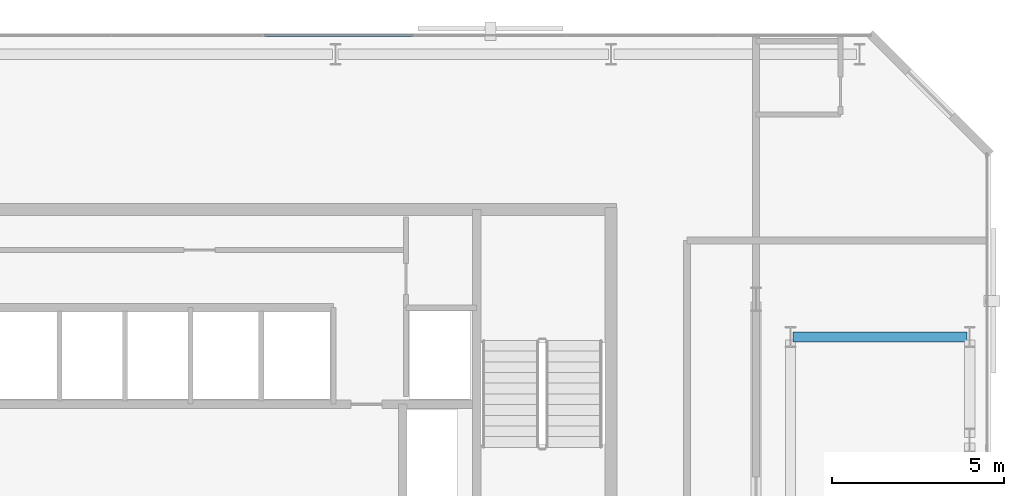
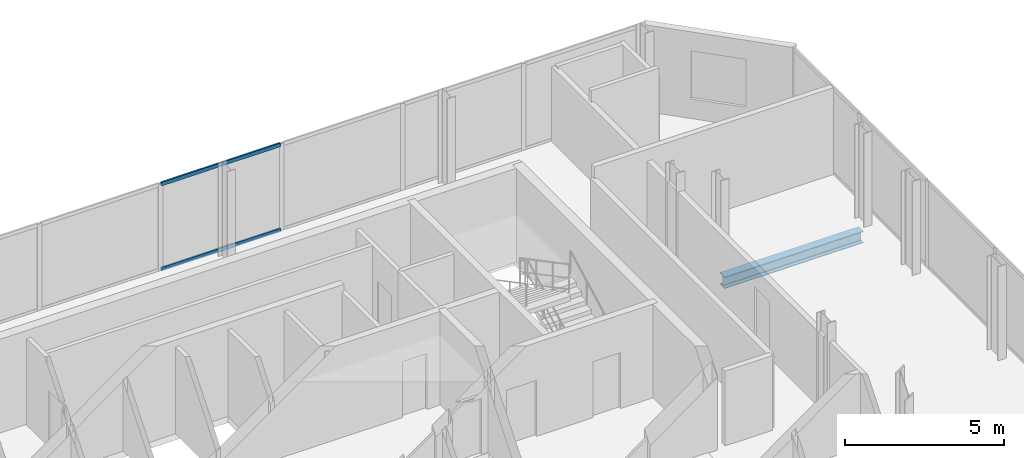
# One storey, part 23 of 32: 2 members, 1 beam, 1 element without a shape of its own.
"""IFC4 building model written with IfcOpenShell, lengths in metres."""

from ifc_helpers import new_model, si_unit, direction, frame, origin, origin_2d, place, context, subcontext, project, spatial, hollow_rectangle, i_section, extrude, material, layer, layer_set, material_profile, profile_set, type_object, element, aggregate, save


model = new_model("IFC4")

# Units and contexts
model_context = context("Model", 3, precision=1e-05, world=origin(), true_north=direction((0.0, 1.0)))
body_context = subcontext(model_context, "Body", "Model", "MODEL_VIEW")
ifc_project = project(units=[si_unit("LENGTHUNIT", "METRE"), si_unit("AREAUNIT", "SQUARE_METRE"), si_unit("VOLUMEUNIT", "CUBIC_METRE"), si_unit("PLANEANGLEUNIT", "RADIAN"), si_unit("MASSUNIT", "GRAM", prefix="KILO")], contexts=[model_context])

# Site, building, storey
site_placement = place(None, origin())
site = spatial("IfcSite", under=ifc_project, at=site_placement, CompositionType="ELEMENT")
building_placement = place(site_placement, origin())
building = spatial("IfcBuilding", under=site, at=building_placement, Name="Catumbela Crestline Tower", CompositionType="ELEMENT")
storey_placement = place(building_placement, frame((0.0, 0.0, 122.4)))
storey = spatial("IfcBuildingStorey", under=building, at=storey_placement, Name="L31", CompositionType="ELEMENT", Elevation=122.4)

# Beam
ifc_material_1 = material(Name="Structural steel S355J2", Category="steel")
ifc_material_profile_1 = material_profile(ifc_material_1, i_section(OverallWidth=0.3, OverallDepth=0.45, WebThickness=0.014, FlangeThickness=0.026, FilletRadius=0.027, at=origin_2d()), Name="HEB 450")
ifc_profile_set_1 = profile_set([ifc_material_profile_1], Name="Structural steel S355J2")
beam_type = type_object("IfcBeamType", Name="BG-HEB450", PredefinedType="BEAM", material=ifc_profile_set_1)
beam_placement = place(storey_placement, frame((45.28, 39.2, -0.485), z_axis=(1.0, 0.0, 0.0), x_axis=(0.0, 1.0, 0.0)))
element("IfcBeam", 1, at=beam_placement, inside=storey, type_object=beam_type, Name="L31 Beam BM-L31-N16", PredefinedType="BEAM", context=body_context, shape_type="SweptSolid", body=[
    extrude(i_section(OverallWidth=0.3, OverallDepth=0.45, WebThickness=0.014, FlangeThickness=0.026, FilletRadius=0.027, at=origin_2d()), origin(), (0.0, 0.0, 1.0), 5.04),
])

# Curtain wall, members
ifc_material_2 = material(Name="Aluminium alloy AW-6060-T66", Category="aluminium")
ifc_layer = layer(ifc_material_2, 0.18, Name="Aluminium alloy AW-6060-T66")
ifc_layer_set = layer_set([ifc_layer], Name="Aluminium alloy AW-6060-T66")
curtain_wall_type = type_object("IfcCurtainWallType", Name="CWU-Z2", PredefinedType="USERDEFINED", material=ifc_layer_set)
curtain_wall_placement = place(storey_placement, origin())
curtain_wall = element("IfcCurtainWall", 2, at=curtain_wall_placement, inside=storey, type_object=curtain_wall_type, Name="L31 Unitised Curtain Wall CW-L31-E7S1", ObjectType="UNITISED", PredefinedType="USERDEFINED")
ifc_material_profile_2 = material_profile(ifc_material_2, hollow_rectangle(XDim=0.06, YDim=0.14, WallThickness=0.004, at=origin_2d()), Name="ALU 140x60x4")
ifc_profile_set_2 = profile_set([ifc_material_profile_2], Name="Aluminium alloy AW-6060-T66")
member_type = type_object("IfcMemberType", Name="TRN-140X60", PredefinedType="USERDEFINED", material=ifc_profile_set_2)
member_1_placement = place(storey_placement, frame((34.2675, 47.95, 0.03), z_axis=(-1.0, 0.0, 0.0), x_axis=(0.0, -1.0, 0.0)))
member_1 = element("IfcMember", 3, at=member_1_placement, type_object=member_type, Name="CWU-Z2 transom 4.1", ObjectType="TRANSOM", PredefinedType="USERDEFINED", context=body_context, shape_type="SweptSolid", body=[
    extrude(hollow_rectangle(XDim=0.06, YDim=0.14, WallThickness=0.004, at=origin_2d()), origin(), (0.0, 0.0, 1.0), 4.335),
])
member_2_placement = place(storey_placement, frame((34.2675, 47.95, 3.3), z_axis=(-1.0, 0.0, 0.0), x_axis=(0.0, -1.0, 0.0)))
member_2 = element("IfcMember", 4, at=member_2_placement, type_object=member_type, Name="CWU-Z2 transom 4.2", ObjectType="TRANSOM", PredefinedType="USERDEFINED", context=body_context, shape_type="SweptSolid", body=[
    extrude(hollow_rectangle(XDim=0.06, YDim=0.14, WallThickness=0.004, at=origin_2d()), origin(), (0.0, 0.0, 1.0), 4.335),
])
aggregate(curtain_wall, [member_1, member_2])

save(model, "model.ifc")
